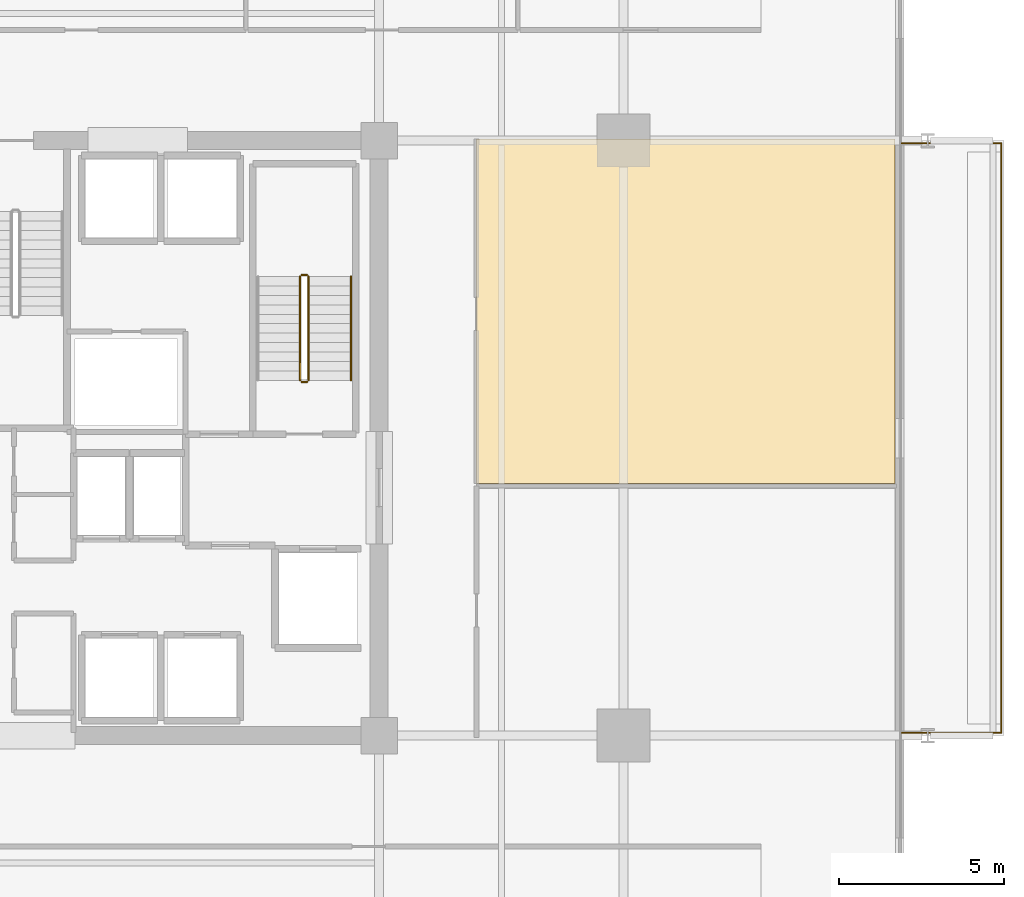
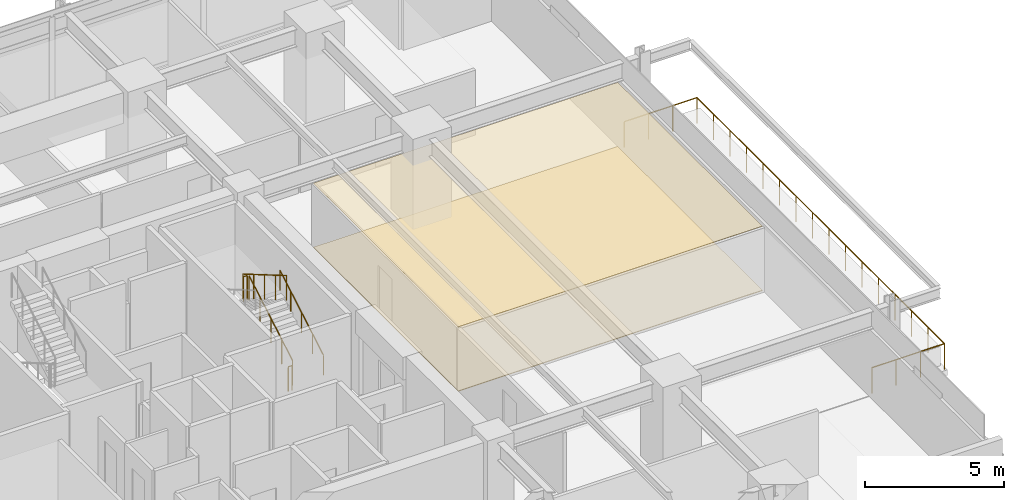
# One storey, part 20 of 21: 6 railings, 2 coverings.
"""IFC4 building model written with IfcOpenShell, lengths in metres."""

from ifc_helpers import new_model, si_unit, direction, frame, origin, origin_2d, place, context, subcontext, project, spatial, polyline, circle, outline, extrude, material, layer, layer_set, type_object, element, save


model = new_model("IFC4")

# Units and contexts
model_context = context("Model", 3, precision=1e-05, world=origin(), true_north=direction((0.0, 1.0)))
body_context = subcontext(model_context, "Body", "Model", "MODEL_VIEW")
ifc_project = project(units=[si_unit("LENGTHUNIT", "METRE"), si_unit("AREAUNIT", "SQUARE_METRE"), si_unit("VOLUMEUNIT", "CUBIC_METRE"), si_unit("PLANEANGLEUNIT", "RADIAN"), si_unit("MASSUNIT", "GRAM", prefix="KILO")], contexts=[model_context])

# Site, building, storey
site_placement = place(None, origin())
site = spatial("IfcSite", under=ifc_project, at=site_placement, CompositionType="ELEMENT")
building_placement = place(site_placement, origin())
building = spatial("IfcBuilding", under=site, at=building_placement, Name="Kovane Verandah Tower", CompositionType="ELEMENT")
storey_placement = place(building_placement, frame((0.0, 0.0, 176.39990234375)))
storey = spatial("IfcBuildingStorey", under=building, at=storey_placement, Name="L41", CompositionType="ELEMENT", Elevation=176.39990234375)

# Coverings
ifc_material_1 = material(Name="Perforated Acoustic Mineral-Fibre Ceiling Tile", Category="gypsum")
ifc_layer_1 = layer(ifc_material_1, 0.02490234375)
ifc_layer_set_1 = layer_set([ifc_layer_1], Name="Perforated Acoustic Mineral-Fibre Ceiling Tile")
covering_type_1 = type_object("IfcCoveringType", Name="CV-CEIL-25", PredefinedType="CEILING", material=ifc_layer_set_1)
covering_1_placement = place(storey_placement, frame((0.0, 0.0, 2.8251953125)))
element("IfcCovering", 1, at=covering_1_placement, inside=storey, type_object=covering_type_1, Name="L41 Collaboration Hub E2 Acoustic Ceiling", PredefinedType="CEILING", context=body_context, shape_type="SweptSolid", body=[
    extrude(outline(polyline([(53.949951171875, 26.1220703125), (66.605712890625, 26.1220703125), (66.605712890625, 36.550048828125), (53.949951171875, 36.550048828125), (53.949951171875, 26.1220703125)])), origin(), (0.0, 0.0, 1.0), 0.02490234375),
])
ifc_material_2 = material(Name="Polished Terrazzo and Raised-Access Carpet Tile Finish", Category="concrete")
ifc_layer_2 = layer(ifc_material_2, 0.030029296875)
ifc_layer_set_2 = layer_set([ifc_layer_2], Name="Polished Terrazzo and Raised-Access Carpet Tile Finish")
covering_type_2 = type_object("IfcCoveringType", Name="CV-FLOR-30", PredefinedType="FLOORING", material=ifc_layer_set_2)
covering_2_placement = place(storey_placement, origin())
element("IfcCovering", 2, at=covering_2_placement, inside=storey, type_object=covering_type_2, Name="L41 Collaboration Hub E2 Floor Finish", PredefinedType="FLOORING", context=body_context, shape_type="SweptSolid", body=[
    extrude(outline(polyline([(53.949951171875, 26.1220703125), (66.605712890625, 26.1220703125), (66.605712890625, 36.550048828125), (53.949951171875, 36.550048828125), (53.949951171875, 26.1220703125)])), origin(), (0.0, 0.0, 1.0), 0.030029296875),
])

# Railings
ifc_material_3 = material(Name="Laminated Glass and Pale-Champagne Stainless Balustrade", Category="glass")
railing_type_1 = type_object("IfcRailingType", Name="RL-BAL-1150", PredefinedType="BALUSTRADE", material=ifc_material_3)
railing_1_placement = place(storey_placement, frame((66.8056640625, 18.580078125, 0.0)))
element("IfcRailing", 3, at=railing_1_placement, inside=storey, type_object=railing_type_1, Name="L41 E Verandah Glass Balustrade", PredefinedType="BALUSTRADE", context=body_context, shape_type="SweptSolid", body=[
    extrude(circle(Radius=0.02392578125, at=origin_2d()), frame((0.0, 0.0, 1.1259765625), z_axis=(1.0, 0.0, 0.0), x_axis=(0.0, 1.0, 0.0)), (0.0, 0.0, 1.0), 3.02001953125),
    extrude(circle(Radius=0.02392578125, at=origin_2d()), frame((3.02001953125, 0.0, 1.1259765625), z_axis=(0.0, 1.0, 0.0), x_axis=(-1.0, 0.0, 0.0)), (0.0, 0.0, 1.0), 17.83984375),
    extrude(circle(Radius=0.02392578125, at=origin_2d()), frame((3.02001953125, 17.83984375, 1.1259765625), z_axis=(-1.0, 0.0, 0.0), x_axis=(0.0, -1.0, 0.0)), (0.0, 0.0, 1.0), 3.02001953125),
    extrude(circle(Radius=0.02099609375, at=origin_2d()), origin(), (0.0, 0.0, 1.0), 1.101806640625),
    extrude(circle(Radius=0.02099609375, at=origin_2d()), frame((1.006591796875, 0.0, 0.0)), (0.0, 0.0, 1.0), 1.101806640625),
    extrude(circle(Radius=0.02099609375, at=origin_2d()), frame((2.013427734375, 0.0, 0.0)), (0.0, 0.0, 1.0), 1.101806640625),
    extrude(circle(Radius=0.02099609375, at=origin_2d()), frame((3.02001953125, 0.0, 0.0)), (0.0, 0.0, 1.0), 1.101806640625),
    extrude(circle(Radius=0.02099609375, at=origin_2d()), frame((3.02001953125, 1.189208984375, 0.0)), (0.0, 0.0, 1.0), 1.101806640625),
    extrude(circle(Radius=0.02099609375, at=origin_2d()), frame((3.02001953125, 2.378662109375, 0.0)), (0.0, 0.0, 1.0), 1.101806640625),
    extrude(circle(Radius=0.02099609375, at=origin_2d()), frame((3.02001953125, 3.56787109375, 0.0)), (0.0, 0.0, 1.0), 1.101806640625),
    extrude(circle(Radius=0.02099609375, at=origin_2d()), frame((3.02001953125, 4.75732421875, 0.0)), (0.0, 0.0, 1.0), 1.101806640625),
    extrude(circle(Radius=0.02099609375, at=origin_2d()), frame((3.02001953125, 5.946533203125, 0.0)), (0.0, 0.0, 1.0), 1.101806640625),
    extrude(circle(Radius=0.02099609375, at=origin_2d()), frame((3.02001953125, 7.135986328125, 0.0)), (0.0, 0.0, 1.0), 1.101806640625),
    extrude(circle(Radius=0.02099609375, at=origin_2d()), frame((3.02001953125, 8.3251953125, 0.0)), (0.0, 0.0, 1.0), 1.101806640625),
    extrude(circle(Radius=0.02099609375, at=origin_2d()), frame((3.02001953125, 9.5146484375, 0.0)), (0.0, 0.0, 1.0), 1.101806640625),
    extrude(circle(Radius=0.02099609375, at=origin_2d()), frame((3.02001953125, 10.703857421875, 0.0)), (0.0, 0.0, 1.0), 1.101806640625),
    extrude(circle(Radius=0.02099609375, at=origin_2d()), frame((3.02001953125, 11.893310546875, 0.0)), (0.0, 0.0, 1.0), 1.101806640625),
    extrude(circle(Radius=0.02099609375, at=origin_2d()), frame((3.02001953125, 13.08251953125, 0.0)), (0.0, 0.0, 1.0), 1.101806640625),
    extrude(circle(Radius=0.02099609375, at=origin_2d()), frame((3.02001953125, 14.27197265625, 0.0)), (0.0, 0.0, 1.0), 1.101806640625),
    extrude(circle(Radius=0.02099609375, at=origin_2d()), frame((3.02001953125, 15.461181640625, 0.0)), (0.0, 0.0, 1.0), 1.101806640625),
    extrude(circle(Radius=0.02099609375, at=origin_2d()), frame((3.02001953125, 16.650634765625, 0.0)), (0.0, 0.0, 1.0), 1.101806640625),
    extrude(circle(Radius=0.02099609375, at=origin_2d()), frame((3.02001953125, 17.83984375, 0.0)), (0.0, 0.0, 1.0), 1.101806640625),
    extrude(circle(Radius=0.02099609375, at=origin_2d()), frame((2.013427734375, 17.83984375, 0.0)), (0.0, 0.0, 1.0), 1.101806640625),
    extrude(circle(Radius=0.02099609375, at=origin_2d()), frame((1.006591796875, 17.83984375, 0.0)), (0.0, 0.0, 1.0), 1.101806640625),
    extrude(circle(Radius=0.02099609375, at=origin_2d()), frame((0.0, 17.83984375, 0.0)), (0.0, 0.0, 1.0), 1.101806640625),
])
ifc_material_4 = material(Name="Brushed Stainless Steel Handrail", Category="steel")
railing_type_2 = type_object("IfcRailingType", Name="RL-HAND-920", PredefinedType="HANDRAIL", material=ifc_material_4)
railing_2_placement = place(storey_placement, frame((50.14990234375, 29.25, 0.166748046875)))
element("IfcRailing", 4, at=railing_2_placement, inside=storey, type_object=railing_type_2, Name="L41 ST-02 stair handrail 1", PredefinedType="HANDRAIL", context=body_context, shape_type="SweptSolid", body=[
    extrude(circle(Radius=0.02392578125, at=origin_2d()), frame((0.0, 0.0, 0.8759765625), z_axis=(0.0, 0.863239559939, 0.504794475164), x_axis=(-1.0, 0.0, 0.0)), (0.0, 0.0, 1.0), 3.631591796875),
    extrude(circle(Radius=0.02099609375, at=origin_2d()), origin(), (0.0, 0.0, 1.0), 0.851806640625),
    extrude(circle(Radius=0.02099609375, at=origin_2d()), frame((0.0, 0.78369140625, 0.458251953125)), (0.0, 0.0, 1.0), 0.851806640625),
    extrude(circle(Radius=0.02099609375, at=origin_2d()), frame((0.0, 1.5673828125, 0.91650390625)), (0.0, 0.0, 1.0), 0.851806640625),
    extrude(circle(Radius=0.02099609375, at=origin_2d()), frame((0.0, 2.351318359375, 1.375)), (0.0, 0.0, 1.0), 0.851806640625),
    extrude(circle(Radius=0.02099609375, at=origin_2d()), frame((0.0, 3.135009765625, 1.833251953125)), (0.0, 0.0, 1.0), 0.851806640625),
])
ifc_material_5 = material(Name="Painted Steel Stairwell Guardrail", Category="steel")
railing_type_3 = type_object("IfcRailingType", Name="RL-STGUARD-1120", PredefinedType="GUARDRAIL", material=ifc_material_5)
railing_3_placement = place(storey_placement, frame((48.8701171875, 29.25, 0.166748046875)))
element("IfcRailing", 5, at=railing_3_placement, inside=storey, type_object=railing_type_3, Name="L41 ST-02 stair guard 1", PredefinedType="GUARDRAIL", context=body_context, shape_type="SweptSolid", body=[
    extrude(circle(Radius=0.02392578125, at=origin_2d()), frame((0.0, 0.0, 1.076171875), z_axis=(0.0, 0.863239559939, 0.504794475164), x_axis=(-1.0, 0.0, 0.0)), (0.0, 0.0, 1.0), 3.631591796875),
    extrude(circle(Radius=0.02099609375, at=origin_2d()), origin(), (0.0, 0.0, 1.0), 1.052001953125),
    extrude(circle(Radius=0.02099609375, at=origin_2d()), frame((0.0, 0.78369140625, 0.458251953125)), (0.0, 0.0, 1.0), 1.052001953125),
    extrude(circle(Radius=0.02099609375, at=origin_2d()), frame((0.0, 1.5673828125, 0.91650390625)), (0.0, 0.0, 1.0), 1.052001953125),
    extrude(circle(Radius=0.02099609375, at=origin_2d()), frame((0.0, 2.351318359375, 1.375)), (0.0, 0.0, 1.0), 1.052001953125),
    extrude(circle(Radius=0.02099609375, at=origin_2d()), frame((0.0, 3.135009765625, 1.833251953125)), (0.0, 0.0, 1.0), 1.052001953125),
])
railing_4_placement = place(storey_placement, frame((48.820068359375, 32.43505859375, 2.0)))
element("IfcRailing", 6, at=railing_4_placement, inside=storey, type_object=railing_type_3, Name="L41 ST-02 stair guard 2", PredefinedType="GUARDRAIL", context=body_context, shape_type="SweptSolid", body=[
    extrude(circle(Radius=0.02392578125, at=origin_2d()), frame((0.0, 0.0, 1.076171875), z_axis=(-1.0, 0.0, 0.0), x_axis=(0.0, -1.0, 0.0)), (0.0, 0.0, 1.0), 0.16015625),
    extrude(circle(Radius=0.02099609375, at=origin_2d()), origin(), (0.0, 0.0, 1.0), 1.052001953125),
    extrude(circle(Radius=0.02099609375, at=origin_2d()), frame((-0.16015625, 0.0, 0.0)), (0.0, 0.0, 1.0), 1.052001953125),
])
railing_5_placement = place(storey_placement, frame((48.610107421875, 32.385009765625, 2.166748046875)))
element("IfcRailing", 7, at=railing_5_placement, inside=storey, type_object=railing_type_3, Name="L41 ST-02 stair guard 3", PredefinedType="GUARDRAIL", context=body_context, shape_type="SweptSolid", body=[
    extrude(circle(Radius=0.02392578125, at=origin_2d()), frame((0.0, 0.0, 1.076171875), z_axis=(0.0, -0.863239559939, 0.504794475164), x_axis=(1.0, 0.0, 0.0)), (0.0, 0.0, 1.0), 3.631591796875),
    extrude(circle(Radius=0.02099609375, at=origin_2d()), origin(), (0.0, 0.0, 1.0), 1.052001953125),
    extrude(circle(Radius=0.02099609375, at=origin_2d()), frame((0.0, -0.78369140625, 0.458251953125)), (0.0, 0.0, 1.0), 1.052001953125),
    extrude(circle(Radius=0.02099609375, at=origin_2d()), frame((0.0, -1.5673828125, 0.91650390625)), (0.0, 0.0, 1.0), 1.052001953125),
    extrude(circle(Radius=0.02099609375, at=origin_2d()), frame((0.0, -2.351318359375, 1.375)), (0.0, 0.0, 1.0), 1.052001953125),
    extrude(circle(Radius=0.02099609375, at=origin_2d()), frame((0.0, -3.135009765625, 1.833251953125)), (0.0, 0.0, 1.0), 1.052001953125),
])
railing_6_placement = place(storey_placement, frame((48.820068359375, 29.199951171875, 0.0)))
element("IfcRailing", 8, at=railing_6_placement, inside=storey, type_object=railing_type_3, Name="L41 ST-02 stair guard 4", PredefinedType="GUARDRAIL", context=body_context, shape_type="SweptSolid", body=[
    extrude(circle(Radius=0.02392578125, at=origin_2d()), frame((0.0, 0.0, 1.076171875), z_axis=(-1.0, 0.0, 0.0), x_axis=(0.0, -1.0, 0.0)), (0.0, 0.0, 1.0), 0.16015625),
    extrude(circle(Radius=0.02099609375, at=origin_2d()), origin(), (0.0, 0.0, 1.0), 1.052001953125),
    extrude(circle(Radius=0.02099609375, at=origin_2d()), frame((-0.16015625, 0.0, 0.0)), (0.0, 0.0, 1.0), 1.052001953125),
])

save(model, "model.ifc")
